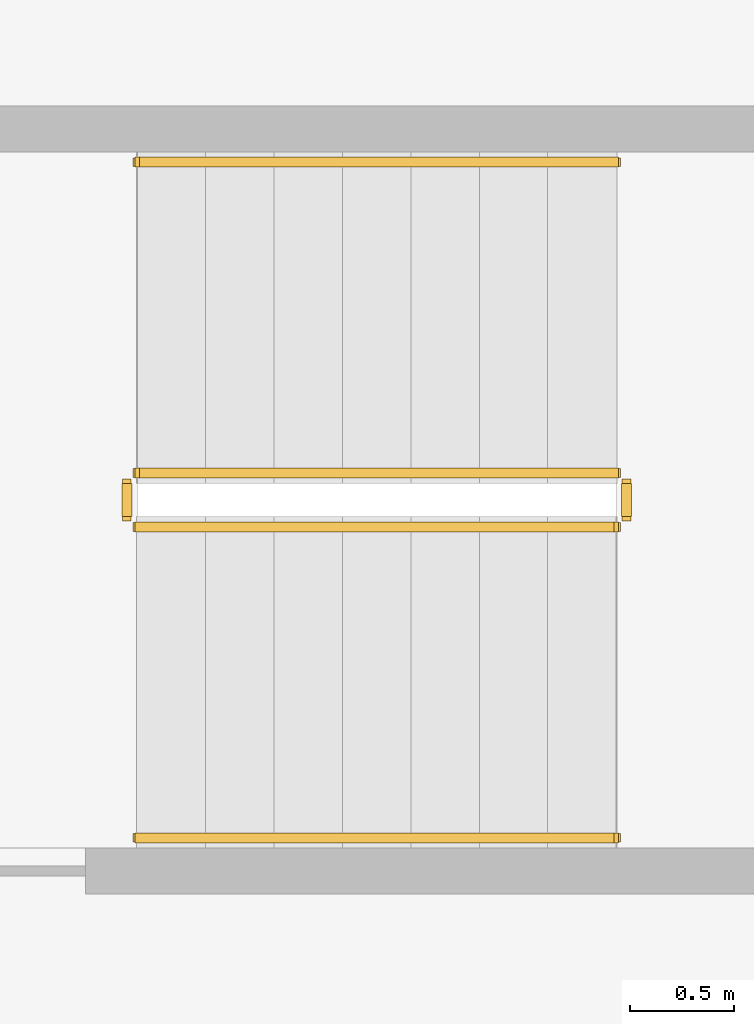
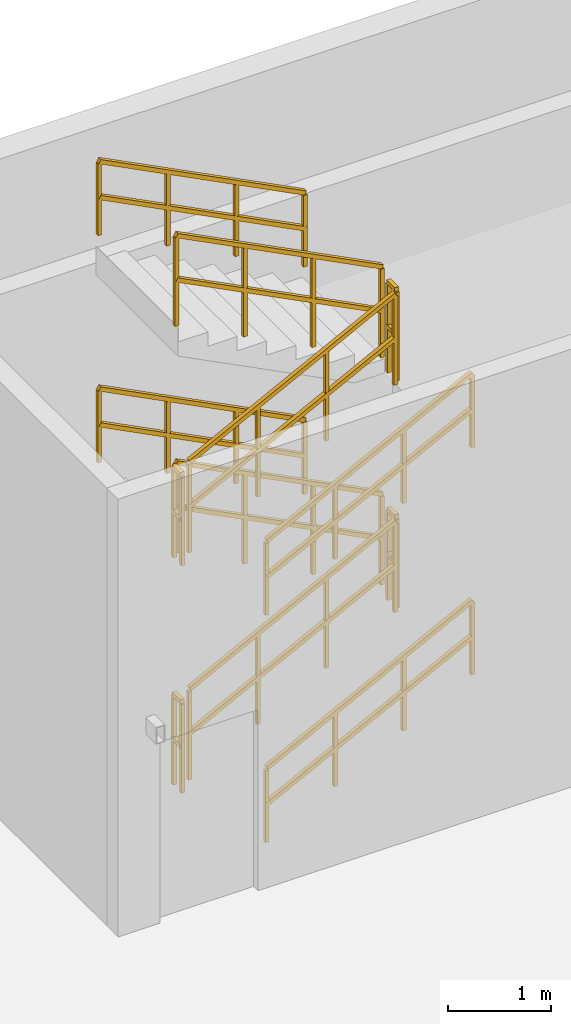
# One storey, part 28 of 29: 12 railings.
"""IFC4 building model written with IfcOpenShell, lengths in metres."""

import ifcopenshell
import ifcopenshell.guid

model = None  # the IFC model being written
_history = None  # IfcOwnerHistory: only IFC2X3 demands one
_inside = {}  # id of a spatial element -> (the spatial element, [elements in it])
_under = {}  # id of a project, library or spatial element -> (it, [spatial elements below it])
_declared = {}  # id of a project -> (the project, [libraries it declares])
_typed = {}  # id of a type object -> (the type object, [elements of that type])
_made_of = {}  # id of a material, layer set ... -> (it, [elements and type objects made of it])


def new_model(schema):
    """Start an empty IFC model of exactly this schema.

    Asked for "IFC4X3", IfcOpenShell would pick the latest addendum, in which some entities
    have other attributes; the version numbers below select the first issue.
    IFC2X3 requires an IfcOwnerHistory on every rooted entity: one is made here for all.
    """
    global model, _history
    if schema == "IFC4X3":
        model = ifcopenshell.file(schema_version=(4, 3, 0, 0))
    else:
        model = ifcopenshell.file(schema=schema)
    _inside.clear()
    _under.clear()
    _declared.clear()
    _typed.clear()
    _made_of.clear()
    _history = None
    if model.schema == "IFC2X3":
        org = make("IfcOrganization", Name="unknown")
        user = make(
            "IfcPersonAndOrganization",
            ThePerson=make("IfcPerson", FamilyName="unknown"),
            TheOrganization=org,
        )
        app = make(
            "IfcApplication",
            ApplicationDeveloper=org,
            Version="unknown",
            ApplicationFullName="unknown",
            ApplicationIdentifier="unknown",
        )
        _history = make(
            "IfcOwnerHistory",
            OwningUser=user,
            OwningApplication=app,
            ChangeAction="ADDED",
            CreationDate=0,
        )
    return model


def make(cls, **values):
    """One entity of the class cls with the attributes given. An attribute that is None is left unset."""
    return model.create_entity(
        cls, **{name: value for name, value in values.items() if value is not None}
    )


def rooted(cls, **values):
    """An entity with a GlobalId (a new one), such as an element, a storey or a relation."""
    return make(cls, GlobalId=ifcopenshell.guid.new(), OwnerHistory=_history, **values)


def si_unit(unit_type, name, prefix=None):
    """IfcSIUnit, for example si_unit("LENGTHUNIT", "METRE", prefix="MILLI")."""
    return make("IfcSIUnit", UnitType=unit_type, Prefix=prefix, Name=name)


def assignment(units):
    """IfcUnitAssignment: the units of a project."""
    return None if units is None else make("IfcUnitAssignment", Units=units)


def point(xyz):
    """IfcCartesianPoint."""
    return None if xyz is None else make("IfcCartesianPoint", Coordinates=xyz)


def direction(xyz):
    """IfcDirection."""
    return None if xyz is None else make("IfcDirection", DirectionRatios=xyz)


def frame(location, z_axis=None, x_axis=None):
    """IfcAxis2Placement3D, a coordinate frame: its origin and axes. An axis left out is left unset."""
    return make(
        "IfcAxis2Placement3D",
        Location=point(location),
        Axis=direction(z_axis),
        RefDirection=direction(x_axis),
    )


def frame_2d(location, x_axis=None):
    """IfcAxis2Placement2D, a coordinate frame in the plane: its origin and x axis."""
    return make(
        "IfcAxis2Placement2D", Location=point(location), RefDirection=direction(x_axis)
    )


def origin():
    """The frame at (0, 0, 0) with its axes left unset."""
    return frame((0.0, 0.0, 0.0))


def origin_2d():
    """The frame at (0, 0) in the plane with its x axis left unset."""
    return frame_2d((0.0, 0.0))


def place(relative_to, where):
    """IfcLocalPlacement: puts the frame where relative to a parent placement (None: the world)."""
    return make(
        "IfcLocalPlacement", PlacementRelTo=relative_to, RelativePlacement=where
    )


def context(
    kind, dimensions, precision=None, world=None, true_north=None, identifier=None
):
    """IfcGeometricRepresentationContext, for example the 3D "Model" context."""
    return make(
        "IfcGeometricRepresentationContext",
        ContextIdentifier=identifier,
        ContextType=kind,
        CoordinateSpaceDimension=dimensions,
        Precision=precision,
        WorldCoordinateSystem=world,
        TrueNorth=true_north,
    )


def subcontext(parent, identifier, kind, view, scale=None):
    """IfcGeometricRepresentationSubContext, for example "Body" below "Model"."""
    return make(
        "IfcGeometricRepresentationSubContext",
        ContextIdentifier=identifier,
        ContextType=kind,
        ParentContext=parent,
        TargetScale=scale,
        TargetView=view,
    )


def project(units=None, contexts=None):
    """IfcProject with its units and contexts."""
    return rooted(
        "IfcProject",
        Name="project",
        RepresentationContexts=contexts,
        UnitsInContext=assignment(units),
    )


def spatial(cls, under=None, at=None, **own):
    """A site, building, storey or space (cls), placed at a placement, below another one or the project."""
    s = rooted(cls, ObjectPlacement=at, **own)
    if under is not None:
        _under.setdefault(under.id(), (under, []))[1].append(s)
    return s


def profile(cls, at=None, kind="AREA", **sizes):
    """A parametric profile (cls). Its sizes go by their IFC names, for example OverallWidth=200.0."""
    return make(cls, ProfileType=kind, Position=at, **sizes)


def rectangle(**sizes):
    """IfcRectangleProfileDef."""
    return profile("IfcRectangleProfileDef", **sizes)


def extrude(swept, where, along, depth):
    """IfcExtrudedAreaSolid: the profile swept, set in the frame where, extruded along a direction by depth."""
    return make(
        "IfcExtrudedAreaSolid",
        SweptArea=swept,
        Position=where,
        ExtrudedDirection=direction(along),
        Depth=depth,
    )


def shape(context_of_items, identifier, shape_type, items):
    """IfcShapeRepresentation: the items that make up one representation, for example the "Body"."""
    return make(
        "IfcShapeRepresentation",
        ContextOfItems=context_of_items,
        RepresentationIdentifier=identifier,
        RepresentationType=shape_type,
        Items=items,
    )


def material(Name=None, Category=None):
    """IfcMaterial."""
    return make("IfcMaterial", Name=Name, Category=Category)


def made_of(thing, what):
    """Note that an element or type object is made of a material, layer set ...; save() writes the relation."""
    if what is not None:
        _made_of.setdefault(what.id(), (what, []))[1].append(thing)
    return thing


def type_object(cls, material=None, **own):
    """A type object (cls), such as IfcWallType, which elements share."""
    return made_of(rooted(cls, **own), material)


def element(
    cls,
    number,
    at=None,
    inside=None,
    cuts=None,
    type_object=None,
    material=None,
    context=None,
    identifier="Body",
    shape_type=None,
    held_by="IfcProductDefinitionShape",
    body=None,
    shapes=None,
    **own,
):
    """One element of the class cls, such as IfcWall. Its Tag is "e" and its number.

    at: its placement. inside: the storey or other place that contains it. cuts: it is an
    opening in that element (IfcRelVoidsElement). A single representation is given by context,
    identifier, shape_type and body (its items); several are given by shapes. held_by: the class
    of the entity that holds the representations. save() writes the other relations.
    """
    e = rooted(cls, Tag="e%d" % number, ObjectPlacement=at, **own)
    if body is not None:
        shapes = [shape(context, identifier, shape_type, body)]
    if shapes is not None:
        e.Representation = make(held_by, Representations=shapes)
    if inside is not None:
        _inside.setdefault(inside.id(), (inside, []))[1].append(e)
    if cuts is not None:
        rooted(
            "IfcRelVoidsElement", RelatingBuildingElement=cuts, RelatedOpeningElement=e
        )
    if type_object is not None:
        _typed.setdefault(type_object.id(), (type_object, []))[1].append(e)
    return made_of(e, material)


def aggregate(whole, parts):
    """IfcRelAggregates: a whole, such as a stair, and the parts it consists of."""
    return rooted("IfcRelAggregates", RelatingObject=whole, RelatedObjects=parts)


def save(model, path):
    """Write the relations noted so far, then the file.

    IfcRelAggregates (storeys below a building ...), IfcRelContainedInSpatialStructure (elements
    in a storey), IfcRelDefinesByType, IfcRelAssociatesMaterial and IfcRelDeclares: one each for
    every whole, place, type object, material and project.
    """
    for whole, parts in _under.values():
        aggregate(whole, parts)
    for where, things in _inside.values():
        rooted(
            "IfcRelContainedInSpatialStructure",
            RelatedElements=things,
            RelatingStructure=where,
        )
    for kind, things in _typed.values():
        rooted("IfcRelDefinesByType", RelatedObjects=things, RelatingType=kind)
    for what, things in _made_of.values():
        rooted("IfcRelAssociatesMaterial", RelatedObjects=things, RelatingMaterial=what)
    for by, libraries in _declared.values():
        rooted("IfcRelDeclares", RelatingContext=by, RelatedDefinitions=libraries)
    model.write(path)


model = new_model("IFC4")

# Units and contexts
model_context = context("Model", 3, precision=1e-05, world=origin(), true_north=direction((0.0, 1.0)))
body_context = subcontext(model_context, "Body", "Model", "MODEL_VIEW")
ifc_project = project(units=[si_unit("LENGTHUNIT", "METRE"), si_unit("AREAUNIT", "SQUARE_METRE"), si_unit("VOLUMEUNIT", "CUBIC_METRE"), si_unit("PLANEANGLEUNIT", "RADIAN"), si_unit("MASSUNIT", "GRAM", prefix="KILO")], contexts=[model_context])

# Site, building, storey
site_placement = place(None, origin())
site = spatial("IfcSite", under=ifc_project, at=site_placement, CompositionType="ELEMENT")
building_placement = place(site_placement, origin())
building = spatial("IfcBuilding", under=site, at=building_placement, Name="Ocotamira Hotel", CompositionType="ELEMENT")
storey_placement = place(building_placement, frame((0.0, 0.0, 6.0)))
storey = spatial("IfcBuildingStorey", under=building, at=storey_placement, Name="L02", CompositionType="ELEMENT", Elevation=6.0)

# Railings
ifc_material_1 = material(Name="Brushed stainless steel handrail", Category="steel")
railing_type_1 = type_object("IfcRailingType", Name="RL-HAND-900", PredefinedType="HANDRAIL", material=ifc_material_1)
railing_1_placement = place(storey_placement, frame((56.179931640625, 46.25, 0.33740234375)))
element("IfcRailing", 1, at=railing_1_placement, inside=storey, type_object=railing_type_1, Name="L02 ST-6 stair handrail 1", PredefinedType="HANDRAIL", context=body_context, shape_type="SweptSolid", body=[
    extrude(rectangle(XDim=0.048095703125, YDim=0.048095703125, at=origin_2d()), frame((0.0, 0.0, 0.8759765625), z_axis=(0.89032534587, 0.0, 0.45532491531), x_axis=(0.0, 1.0, 0.0)), (0.0, 0.0, 1.0), 2.5947265625),
    extrude(rectangle(XDim=0.048095703125, YDim=0.048095703125, at=origin_2d()), frame((0.0, 0.0, 0.449951171875), z_axis=(0.89032534587, 0.0, 0.45532491531), x_axis=(0.0, 1.0, 0.0)), (0.0, 0.0, 1.0), 2.5947265625),
    extrude(rectangle(XDim=0.0419921875, YDim=0.0419921875, at=origin_2d()), origin(), (0.0, 0.0, 1.0), 0.851806640625),
    extrude(rectangle(XDim=0.0419921875, YDim=0.0419921875, at=origin_2d()), frame((0.77001953125, 0.0, 0.393798828125)), (0.0, 0.0, 1.0), 0.851806640625),
    extrude(rectangle(XDim=0.0419921875, YDim=0.0419921875, at=origin_2d()), frame((1.5400390625, 0.0, 0.78759765625)), (0.0, 0.0, 1.0), 0.851806640625),
    extrude(rectangle(XDim=0.0419921875, YDim=0.0419921875, at=origin_2d()), frame((2.31005859375, 0.0, 1.181396484375)), (0.0, 0.0, 1.0), 0.851806640625),
])
railing_2_placement = place(storey_placement, frame((58.489990234375, 49.510009765625, 1.6875)))
element("IfcRailing", 2, at=railing_2_placement, inside=storey, type_object=railing_type_1, Name="L02 ST-6 stair handrail 2", PredefinedType="HANDRAIL", context=body_context, shape_type="SweptSolid", body=[
    extrude(rectangle(XDim=0.048095703125, YDim=0.048095703125, at=origin_2d()), frame((0.0, 0.0, 0.8759765625), z_axis=(-0.890363489232, 0.0, 0.455250323495), x_axis=(0.0, -1.0, 0.0)), (0.0, 0.0, 1.0), 2.594482421875),
    extrude(rectangle(XDim=0.048095703125, YDim=0.048095703125, at=origin_2d()), frame((0.0, 0.0, 0.449951171875), z_axis=(-0.890363489232, 0.0, 0.455250323495), x_axis=(0.0, -1.0, 0.0)), (0.0, 0.0, 1.0), 2.594482421875),
    extrude(rectangle(XDim=0.0419921875, YDim=0.0419921875, at=origin_2d()), origin(), (0.0, 0.0, 1.0), 0.851806640625),
    extrude(rectangle(XDim=0.0419921875, YDim=0.0419921875, at=origin_2d()), frame((-0.77001953125, 0.0, 0.393798828125)), (0.0, 0.0, 1.0), 0.851806640625),
    extrude(rectangle(XDim=0.0419921875, YDim=0.0419921875, at=origin_2d()), frame((-1.5400390625, 0.0, 0.787353515625)), (0.0, 0.0, 1.0), 0.851806640625),
    extrude(rectangle(XDim=0.0419921875, YDim=0.0419921875, at=origin_2d()), frame((-2.31005859375, 0.0, 1.18115234375)), (0.0, 0.0, 1.0), 0.851806640625),
])
railing_3_placement = place(storey_placement, frame((56.179931640625, 46.25, 3.03759765625)))
element("IfcRailing", 3, at=railing_3_placement, inside=storey, type_object=railing_type_1, Name="L02 ST-6 stair handrail 3", PredefinedType="HANDRAIL", context=body_context, shape_type="SweptSolid", body=[
    extrude(rectangle(XDim=0.048095703125, YDim=0.048095703125, at=origin_2d()), frame((0.0, 0.0, 0.8759765625), z_axis=(0.890363489232, 0.0, 0.455250323495), x_axis=(0.0, 1.0, 0.0)), (0.0, 0.0, 1.0), 2.594482421875),
    extrude(rectangle(XDim=0.048095703125, YDim=0.048095703125, at=origin_2d()), frame((0.0, 0.0, 0.449951171875), z_axis=(0.890363489232, 0.0, 0.455250323495), x_axis=(0.0, 1.0, 0.0)), (0.0, 0.0, 1.0), 2.594482421875),
    extrude(rectangle(XDim=0.0419921875, YDim=0.0419921875, at=origin_2d()), origin(), (0.0, 0.0, 1.0), 0.851806640625),
    extrude(rectangle(XDim=0.0419921875, YDim=0.0419921875, at=origin_2d()), frame((0.77001953125, 0.0, 0.393798828125)), (0.0, 0.0, 1.0), 0.851806640625),
    extrude(rectangle(XDim=0.0419921875, YDim=0.0419921875, at=origin_2d()), frame((1.5400390625, 0.0, 0.787353515625)), (0.0, 0.0, 1.0), 0.851806640625),
    extrude(rectangle(XDim=0.0419921875, YDim=0.0419921875, at=origin_2d()), frame((2.31005859375, 0.0, 1.18115234375)), (0.0, 0.0, 1.0), 0.851806640625),
])
railing_4_placement = place(storey_placement, frame((58.489990234375, 49.510009765625, 4.387451171875)))
element("IfcRailing", 4, at=railing_4_placement, inside=storey, type_object=railing_type_1, Name="L02 ST-6 stair handrail 4", PredefinedType="HANDRAIL", context=body_context, shape_type="SweptSolid", body=[
    extrude(rectangle(XDim=0.048095703125, YDim=0.048095703125, at=origin_2d()), frame((0.0, 0.0, 0.8759765625), z_axis=(-0.89032534587, 0.0, 0.45532491531), x_axis=(0.0, -1.0, 0.0)), (0.0, 0.0, 1.0), 2.5947265625),
    extrude(rectangle(XDim=0.048095703125, YDim=0.048095703125, at=origin_2d()), frame((0.0, 0.0, 0.449951171875), z_axis=(-0.89032534587, 0.0, 0.45532491531), x_axis=(0.0, -1.0, 0.0)), (0.0, 0.0, 1.0), 2.5947265625),
    extrude(rectangle(XDim=0.0419921875, YDim=0.0419921875, at=origin_2d()), origin(), (0.0, 0.0, 1.0), 0.851806640625),
    extrude(rectangle(XDim=0.0419921875, YDim=0.0419921875, at=origin_2d()), frame((-0.77001953125, 0.0, 0.393798828125)), (0.0, 0.0, 1.0), 0.851806640625),
    extrude(rectangle(XDim=0.0419921875, YDim=0.0419921875, at=origin_2d()), frame((-1.5400390625, 0.0, 0.78759765625)), (0.0, 0.0, 1.0), 0.851806640625),
    extrude(rectangle(XDim=0.0419921875, YDim=0.0419921875, at=origin_2d()), frame((-2.31005859375, 0.0, 1.181396484375)), (0.0, 0.0, 1.0), 0.851806640625),
])
ifc_material_2 = material(Name="Painted steel stair guardrail", Category="steel")
railing_type_2 = type_object("IfcRailingType", Name="RL-STAIR-1100", PredefinedType="GUARDRAIL", material=ifc_material_2)
railing_5_placement = place(storey_placement, frame((56.179931640625, 47.75, 0.168701171875)))
element("IfcRailing", 5, at=railing_5_placement, inside=storey, type_object=railing_type_2, Name="L02 ST-6 stair guard 1", PredefinedType="GUARDRAIL", context=body_context, shape_type="SweptSolid", body=[
    extrude(rectangle(XDim=0.048095703125, YDim=0.048095703125, at=origin_2d()), frame((0.0, 0.0, 1.076171875), z_axis=(0.89032534587, 0.0, 0.45532491531), x_axis=(0.0, 1.0, 0.0)), (0.0, 0.0, 1.0), 2.5947265625),
    extrude(rectangle(XDim=0.048095703125, YDim=0.048095703125, at=origin_2d()), frame((0.0, 0.0, 0.550048828125), z_axis=(0.89032534587, 0.0, 0.45532491531), x_axis=(0.0, 1.0, 0.0)), (0.0, 0.0, 1.0), 2.5947265625),
    extrude(rectangle(XDim=0.0419921875, YDim=0.0419921875, at=origin_2d()), origin(), (0.0, 0.0, 1.0), 1.052001953125),
    extrude(rectangle(XDim=0.0419921875, YDim=0.0419921875, at=origin_2d()), frame((0.77001953125, 0.0, 0.393798828125)), (0.0, 0.0, 1.0), 1.052001953125),
    extrude(rectangle(XDim=0.0419921875, YDim=0.0419921875, at=origin_2d()), frame((1.5400390625, 0.0, 0.78759765625)), (0.0, 0.0, 1.0), 1.052001953125),
    extrude(rectangle(XDim=0.0419921875, YDim=0.0419921875, at=origin_2d()), frame((2.31005859375, 0.0, 1.181396484375)), (0.0, 0.0, 1.0), 1.052001953125),
])
railing_6_placement = place(storey_placement, frame((58.5400390625, 47.800048828125, 1.35009765625)))
element("IfcRailing", 6, at=railing_6_placement, inside=storey, type_object=railing_type_2, Name="L02 ST-6 stair guard 2", PredefinedType="GUARDRAIL", context=body_context, shape_type="SweptSolid", body=[
    extrude(rectangle(XDim=0.048095703125, YDim=0.048095703125, at=origin_2d()), frame((0.0, 0.0, 1.076171875), z_axis=(0.0, 1.0, 0.0), x_axis=(-1.0, 0.0, 0.0)), (0.0, 0.0, 1.0), 0.159912109375),
    extrude(rectangle(XDim=0.048095703125, YDim=0.048095703125, at=origin_2d()), frame((0.0, 0.0, 0.550048828125), z_axis=(0.0, 1.0, 0.0), x_axis=(-1.0, 0.0, 0.0)), (0.0, 0.0, 1.0), 0.159912109375),
    extrude(rectangle(XDim=0.0419921875, YDim=0.0419921875, at=origin_2d()), origin(), (0.0, 0.0, 1.0), 1.052001953125),
    extrude(rectangle(XDim=0.0419921875, YDim=0.0419921875, at=origin_2d()), frame((0.0, 0.159912109375, 0.0)), (0.0, 0.0, 1.0), 1.052001953125),
])
railing_7_placement = place(storey_placement, frame((58.489990234375, 48.010009765625, 1.518798828125)))
element("IfcRailing", 7, at=railing_7_placement, inside=storey, type_object=railing_type_2, Name="L02 ST-6 stair guard 3", PredefinedType="GUARDRAIL", context=body_context, shape_type="SweptSolid", body=[
    extrude(rectangle(XDim=0.048095703125, YDim=0.048095703125, at=origin_2d()), frame((0.0, 0.0, 1.076171875), z_axis=(-0.890363489232, 0.0, 0.455250323495), x_axis=(0.0, -1.0, 0.0)), (0.0, 0.0, 1.0), 2.594482421875),
    extrude(rectangle(XDim=0.048095703125, YDim=0.048095703125, at=origin_2d()), frame((0.0, 0.0, 0.550048828125), z_axis=(-0.890363489232, 0.0, 0.455250323495), x_axis=(0.0, -1.0, 0.0)), (0.0, 0.0, 1.0), 2.594482421875),
    extrude(rectangle(XDim=0.0419921875, YDim=0.0419921875, at=origin_2d()), origin(), (0.0, 0.0, 1.0), 1.052001953125),
    extrude(rectangle(XDim=0.0419921875, YDim=0.0419921875, at=origin_2d()), frame((-0.77001953125, 0.0, 0.393798828125)), (0.0, 0.0, 1.0), 1.052001953125),
    extrude(rectangle(XDim=0.0419921875, YDim=0.0419921875, at=origin_2d()), frame((-1.5400390625, 0.0, 0.787353515625)), (0.0, 0.0, 1.0), 1.052001953125),
    extrude(rectangle(XDim=0.0419921875, YDim=0.0419921875, at=origin_2d()), frame((-2.31005859375, 0.0, 1.18115234375)), (0.0, 0.0, 1.0), 1.052001953125),
])
railing_8_placement = place(storey_placement, frame((56.1298828125, 47.800048828125, 2.699951171875)))
element("IfcRailing", 8, at=railing_8_placement, inside=storey, type_object=railing_type_2, Name="L02 ST-6 stair guard 4", PredefinedType="GUARDRAIL", context=body_context, shape_type="SweptSolid", body=[
    extrude(rectangle(XDim=0.048095703125, YDim=0.048095703125, at=origin_2d()), frame((0.0, 0.0, 1.076171875), z_axis=(0.0, 1.0, 0.0), x_axis=(-1.0, 0.0, 0.0)), (0.0, 0.0, 1.0), 0.159912109375),
    extrude(rectangle(XDim=0.048095703125, YDim=0.048095703125, at=origin_2d()), frame((0.0, 0.0, 0.550048828125), z_axis=(0.0, 1.0, 0.0), x_axis=(-1.0, 0.0, 0.0)), (0.0, 0.0, 1.0), 0.159912109375),
    extrude(rectangle(XDim=0.0419921875, YDim=0.0419921875, at=origin_2d()), origin(), (0.0, 0.0, 1.0), 1.052001953125),
    extrude(rectangle(XDim=0.0419921875, YDim=0.0419921875, at=origin_2d()), frame((0.0, 0.159912109375, 0.0)), (0.0, 0.0, 1.0), 1.052001953125),
])
railing_9_placement = place(storey_placement, frame((56.179931640625, 47.75, 2.86865234375)))
element("IfcRailing", 9, at=railing_9_placement, inside=storey, type_object=railing_type_2, Name="L02 ST-6 stair guard 5", PredefinedType="GUARDRAIL", context=body_context, shape_type="SweptSolid", body=[
    extrude(rectangle(XDim=0.048095703125, YDim=0.048095703125, at=origin_2d()), frame((0.0, 0.0, 1.076171875), z_axis=(0.89032534587, 0.0, 0.45532491531), x_axis=(0.0, 1.0, 0.0)), (0.0, 0.0, 1.0), 2.5947265625),
    extrude(rectangle(XDim=0.048095703125, YDim=0.048095703125, at=origin_2d()), frame((0.0, 0.0, 0.550048828125), z_axis=(0.89032534587, 0.0, 0.45532491531), x_axis=(0.0, 1.0, 0.0)), (0.0, 0.0, 1.0), 2.5947265625),
    extrude(rectangle(XDim=0.0419921875, YDim=0.0419921875, at=origin_2d()), origin(), (0.0, 0.0, 1.0), 1.052001953125),
    extrude(rectangle(XDim=0.0419921875, YDim=0.0419921875, at=origin_2d()), frame((0.77001953125, 0.0, 0.393798828125)), (0.0, 0.0, 1.0), 1.052001953125),
    extrude(rectangle(XDim=0.0419921875, YDim=0.0419921875, at=origin_2d()), frame((1.5400390625, 0.0, 0.78759765625)), (0.0, 0.0, 1.0), 1.052001953125),
    extrude(rectangle(XDim=0.0419921875, YDim=0.0419921875, at=origin_2d()), frame((2.31005859375, 0.0, 1.181396484375)), (0.0, 0.0, 1.0), 1.052001953125),
])
railing_10_placement = place(storey_placement, frame((58.5400390625, 47.800048828125, 4.050048828125)))
element("IfcRailing", 10, at=railing_10_placement, inside=storey, type_object=railing_type_2, Name="L02 ST-6 stair guard 6", PredefinedType="GUARDRAIL", context=body_context, shape_type="SweptSolid", body=[
    extrude(rectangle(XDim=0.048095703125, YDim=0.048095703125, at=origin_2d()), frame((0.0, 0.0, 1.076171875), z_axis=(0.0, 1.0, 0.0), x_axis=(-1.0, 0.0, 0.0)), (0.0, 0.0, 1.0), 0.159912109375),
    extrude(rectangle(XDim=0.048095703125, YDim=0.048095703125, at=origin_2d()), frame((0.0, 0.0, 0.550048828125), z_axis=(0.0, 1.0, 0.0), x_axis=(-1.0, 0.0, 0.0)), (0.0, 0.0, 1.0), 0.159912109375),
    extrude(rectangle(XDim=0.0419921875, YDim=0.0419921875, at=origin_2d()), origin(), (0.0, 0.0, 1.0), 1.052001953125),
    extrude(rectangle(XDim=0.0419921875, YDim=0.0419921875, at=origin_2d()), frame((0.0, 0.159912109375, 0.0)), (0.0, 0.0, 1.0), 1.052001953125),
])
railing_11_placement = place(storey_placement, frame((58.489990234375, 48.010009765625, 4.21875)))
element("IfcRailing", 11, at=railing_11_placement, inside=storey, type_object=railing_type_2, Name="L02 ST-6 stair guard 7", PredefinedType="GUARDRAIL", context=body_context, shape_type="SweptSolid", body=[
    extrude(rectangle(XDim=0.048095703125, YDim=0.048095703125, at=origin_2d()), frame((0.0, 0.0, 1.076171875), z_axis=(-0.890363489232, 0.0, 0.455250323495), x_axis=(0.0, -1.0, 0.0)), (0.0, 0.0, 1.0), 2.594482421875),
    extrude(rectangle(XDim=0.048095703125, YDim=0.048095703125, at=origin_2d()), frame((0.0, 0.0, 0.550048828125), z_axis=(-0.890363489232, 0.0, 0.455250323495), x_axis=(0.0, -1.0, 0.0)), (0.0, 0.0, 1.0), 2.594482421875),
    extrude(rectangle(XDim=0.0419921875, YDim=0.0419921875, at=origin_2d()), origin(), (0.0, 0.0, 1.0), 1.052001953125),
    extrude(rectangle(XDim=0.0419921875, YDim=0.0419921875, at=origin_2d()), frame((-0.77001953125, 0.0, 0.393798828125)), (0.0, 0.0, 1.0), 1.052001953125),
    extrude(rectangle(XDim=0.0419921875, YDim=0.0419921875, at=origin_2d()), frame((-1.5400390625, 0.0, 0.787353515625)), (0.0, 0.0, 1.0), 1.052001953125),
    extrude(rectangle(XDim=0.0419921875, YDim=0.0419921875, at=origin_2d()), frame((-2.31005859375, 0.0, 1.18115234375)), (0.0, 0.0, 1.0), 1.052001953125),
])
railing_12_placement = place(storey_placement, frame((56.1298828125, 47.800048828125, 0.0)))
element("IfcRailing", 12, at=railing_12_placement, inside=storey, type_object=railing_type_2, Name="L02 ST-6 stair guard 8", PredefinedType="GUARDRAIL", context=body_context, shape_type="SweptSolid", body=[
    extrude(rectangle(XDim=0.048095703125, YDim=0.048095703125, at=origin_2d()), frame((0.0, 0.0, 1.076171875), z_axis=(0.0, 1.0, 0.0), x_axis=(-1.0, 0.0, 0.0)), (0.0, 0.0, 1.0), 0.159912109375),
    extrude(rectangle(XDim=0.048095703125, YDim=0.048095703125, at=origin_2d()), frame((0.0, 0.0, 0.550048828125), z_axis=(0.0, 1.0, 0.0), x_axis=(-1.0, 0.0, 0.0)), (0.0, 0.0, 1.0), 0.159912109375),
    extrude(rectangle(XDim=0.0419921875, YDim=0.0419921875, at=origin_2d()), origin(), (0.0, 0.0, 1.0), 1.052001953125),
    extrude(rectangle(XDim=0.0419921875, YDim=0.0419921875, at=origin_2d()), frame((0.0, 0.159912109375, 0.0)), (0.0, 0.0, 1.0), 1.052001953125),
])

save(model, "model.ifc")
